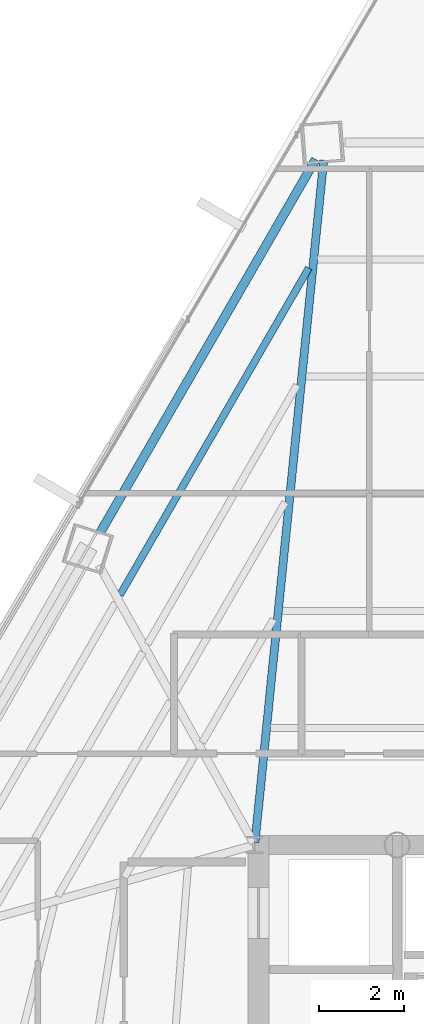
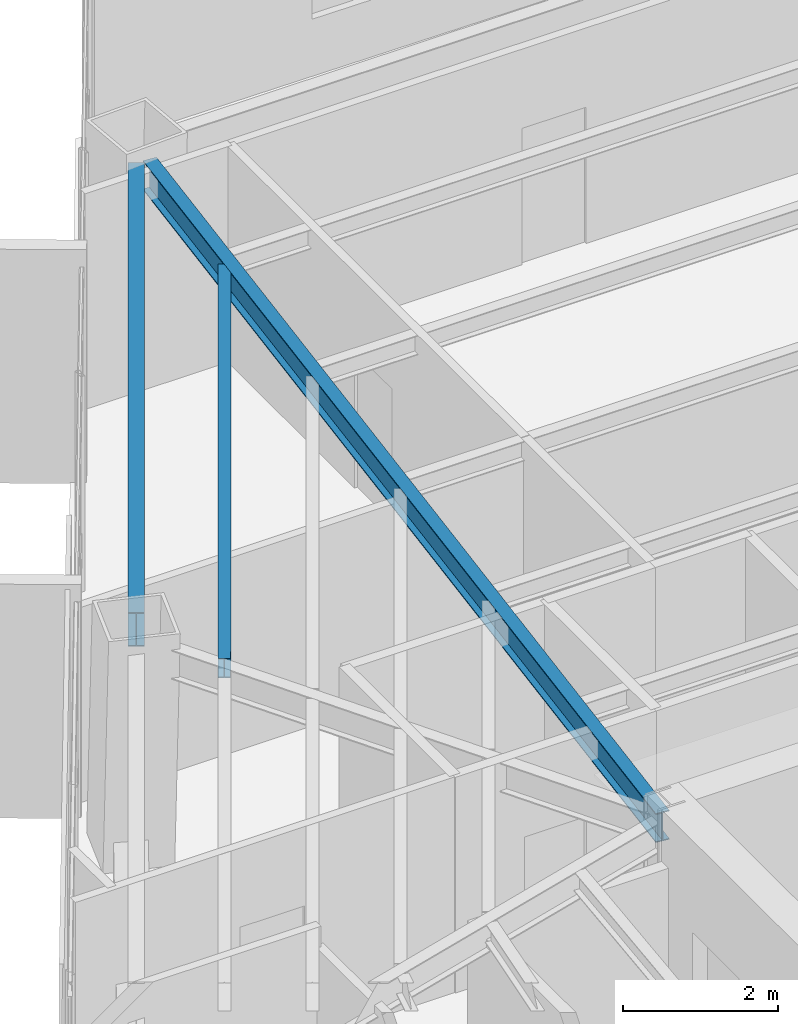
# One storey, part 27 of 41: 3 beams.
"""IFC4 building model written with IfcOpenShell, lengths in metres."""

from ifc_helpers import new_model, si_unit, direction, frame, origin, origin_2d, place, context, subcontext, project, spatial, i_section, extrude, source, transform, mapped, material, material_profile, profile_set, type_object, type_shapes, element, save


model = new_model("IFC4")

# Units and contexts
model_context = context("Model", 3, precision=1e-05, world=origin(), true_north=direction((0.0, 1.0)))
body_context = subcontext(model_context, "Body", "Model", "MODEL_VIEW")
ifc_project = project(units=[si_unit("LENGTHUNIT", "METRE"), si_unit("AREAUNIT", "SQUARE_METRE"), si_unit("VOLUMEUNIT", "CUBIC_METRE"), si_unit("PLANEANGLEUNIT", "RADIAN"), si_unit("MASSUNIT", "GRAM", prefix="KILO")], contexts=[model_context])

# Site, building, storey
site_placement = place(None, origin())
site = spatial("IfcSite", under=ifc_project, at=site_placement, CompositionType="ELEMENT")
building_placement = place(site_placement, origin())
building = spatial("IfcBuilding", under=site, at=building_placement, Name="Caelisora Broadcast Tower", CompositionType="ELEMENT")
storey_placement = place(building_placement, frame((0.0, 0.0, 169.449951171875)))
storey = spatial("IfcBuildingStorey", under=building, at=storey_placement, Name="L44", CompositionType="ELEMENT", Elevation=169.449951171875)

# Beams
ifc_material = material(Name="Steel Grade 350 (AS/NZS 3679.1)", Category="steel")
ifc_material_profile_1 = material_profile(ifc_material, i_section(OverallWidth=0.208984375, OverallDepth=0.532958984375, WebThickness=0.01025390625, FlangeThickness=0.015625, at=origin_2d()), Name="Steel Grade 350 (AS/NZS 3679.1)")
ifc_profile_set_1 = profile_set([ifc_material_profile_1], Name="Steel Grade 350 (AS/NZS 3679.1)")
beam_type_1 = type_object("IfcBeamType", Name="PG05", PredefinedType="BEAM", material=ifc_profile_set_1)
shared_shape_1 = source(origin(), body_context, "Body", "SweptSolid", [
    extrude(i_section(OverallWidth=0.208984375, OverallDepth=0.532958984375, WebThickness=0.01025390625, FlangeThickness=0.015625, at=origin_2d()), origin(), (0.0, 0.0, 1.0), 10.14111328125),
])
type_shapes(beam_type_1, [shared_shape_1])
beam_1_placement = place(storey_placement, frame((31.93408203125, 46.129638671875, 3.133544921875), z_axis=(-0.499999616612, -0.866025625133, 0.0), x_axis=(0.866025625133, -0.499999616612, 0.0)))
element("IfcBeam", 1, at=beam_1_placement, inside=storey, type_object=beam_type_1, Name="L44 beam PG05", PredefinedType="BEAM", context=body_context, shape_type="MappedRepresentation", body=[
    mapped(shared_shape_1, transform((0.0, 0.0, 0.0), scale=1.0)),
])
ifc_material_profile_2 = material_profile(ifc_material, i_section(OverallWidth=0.19091796875, OverallDepth=0.46044921875, WebThickness=0.010009765625, FlangeThickness=0.01611328125, at=origin_2d()), Name="Steel Grade 350 (AS/NZS 3679.1)")
ifc_profile_set_2 = profile_set([ifc_material_profile_2], Name="Steel Grade 350 (AS/NZS 3679.1)")
beam_type_2 = type_object("IfcBeamType", Name="PG06", PredefinedType="BEAM", material=ifc_profile_set_2)
shared_shape_2 = source(origin(), body_context, "Body", "SweptSolid", [
    extrude(i_section(OverallWidth=0.19091796875, OverallDepth=0.46044921875, WebThickness=0.010009765625, FlangeThickness=0.01611328125, at=origin_2d()), origin(), (0.0, 0.0, 1.0), 16.13134765625),
])
type_shapes(beam_type_2, [shared_shape_2])
beam_2_placement = place(storey_placement, frame((30.506103515625, 30.059814453125, 3.169921875), z_axis=(0.100175007187, 0.994969832676, 0.0), x_axis=(-0.994969832676, 0.100175007187, 0.0)))
element("IfcBeam", 2, at=beam_2_placement, inside=storey, type_object=beam_type_2, Name="L44 beam PG06", PredefinedType="BEAM", context=body_context, shape_type="MappedRepresentation", body=[
    mapped(shared_shape_2, transform((0.0, 0.0, 0.0), scale=1.0)),
])
ifc_material_profile_3 = material_profile(ifc_material, i_section(OverallWidth=0.166015625, OverallDepth=0.30712890625, WebThickness=0.006591796875, FlangeThickness=0.01171875, at=origin_2d()), Name="Steel Grade 350 (AS/NZS 3679.1)")
ifc_profile_set_3 = profile_set([ifc_material_profile_3], Name="Steel Grade 350 (AS/NZS 3679.1)")
beam_type_3 = type_object("IfcBeamType", Name="SB03", PredefinedType="JOIST", material=ifc_profile_set_3)
shared_shape_3 = source(origin(), body_context, "Body", "SweptSolid", [
    extrude(i_section(OverallWidth=0.166015625, OverallDepth=0.30712890625, WebThickness=0.006591796875, FlangeThickness=0.01171875, at=origin_2d()), origin(), (0.0, 0.0, 1.0), 8.8798828125),
])
type_shapes(beam_type_3, [shared_shape_3])
beam_3_placement = place(storey_placement, frame((31.772216796875, 43.57470703125, 3.246337890625), z_axis=(-0.500021524473, -0.866012976267, 0.0), x_axis=(0.866012976267, -0.500021524473, 0.0)))
element("IfcBeam", 3, at=beam_3_placement, inside=storey, type_object=beam_type_3, Name="L44 beam SB03", PredefinedType="JOIST", context=body_context, shape_type="MappedRepresentation", body=[
    mapped(shared_shape_3, transform((0.0, 0.0, 0.0), scale=1.0)),
])

save(model, "model.ifc")
